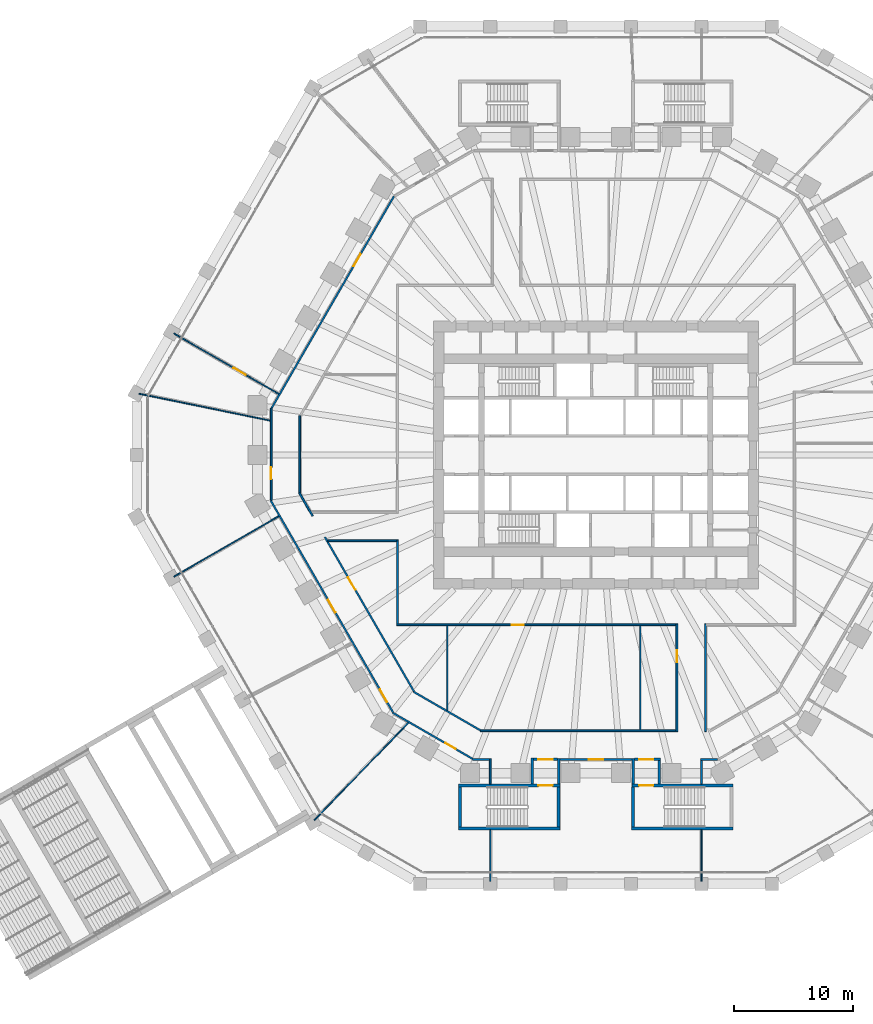
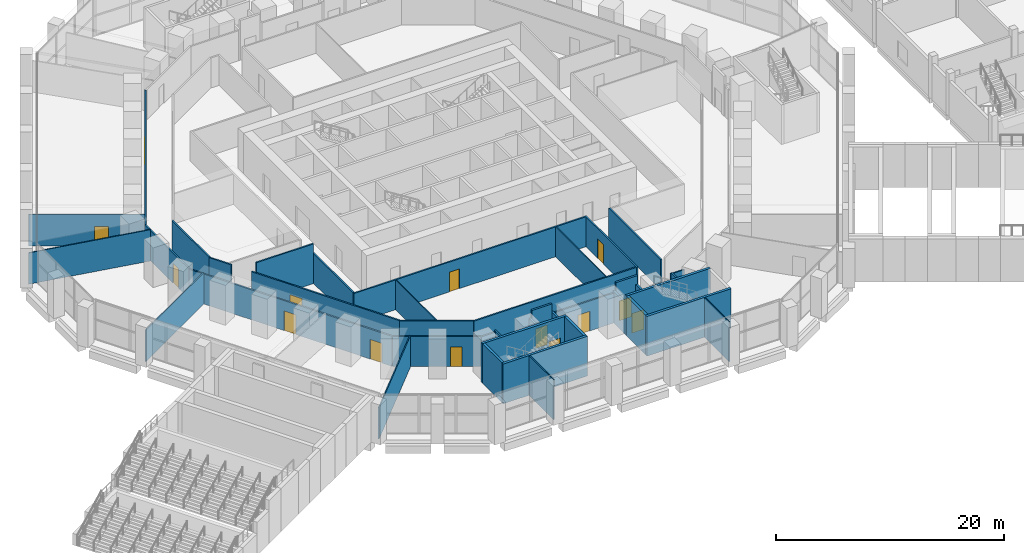
# One storey, part 19 of 38: 40 walls, 14 doors, 14 openings.
"""IFC4 building model written with IfcOpenShell, lengths in metres."""

from ifc_helpers import new_model, si_unit, direction, frame, frame_2d, origin, place, context, subcontext, project, spatial, rectangle, extrude, material, layer, layer_set, type_object, element, fill, save


model = new_model("IFC4")

# Units and contexts
model_context = context("Model", 3, precision=1e-05, world=origin(), true_north=direction((0.0, 1.0)))
body_context = subcontext(model_context, "Body", "Model", "MODEL_VIEW")
ifc_project = project(units=[si_unit("LENGTHUNIT", "METRE"), si_unit("AREAUNIT", "SQUARE_METRE"), si_unit("VOLUMEUNIT", "CUBIC_METRE"), si_unit("PLANEANGLEUNIT", "RADIAN"), si_unit("MASSUNIT", "GRAM", prefix="KILO")], contexts=[model_context])

# Site, building, storey
site_placement = place(None, origin())
site = spatial("IfcSite", under=ifc_project, at=site_placement, CompositionType="ELEMENT")
building_placement = place(site_placement, origin())
building = spatial("IfcBuilding", under=site, at=building_placement, Name="Frailejon Research Tower", CompositionType="ELEMENT")
storey_placement = place(building_placement, frame((0.0, 0.0, 5.60009765625)))
storey = spatial("IfcBuildingStorey", under=building, at=storey_placement, Name="L01", CompositionType="ELEMENT", Elevation=5.60009765625)

# Wall
ifc_material_1 = material(Name="Gypsum board and masonry partition", Category="masonry")
ifc_layer_1 = layer(ifc_material_1, 0.14990234375)
ifc_layer_set_1 = layer_set([ifc_layer_1], Name="Corridor wall EI 60, gypsum on steel studs 150")
wall_type_1 = type_object("IfcWallType", Name="Corridor wall EI 60, gypsum on steel studs 150", PredefinedType="PARTITIONING", material=ifc_layer_set_1)
wall_1_placement = place(storey_placement, frame((8.870849609375, -27.625, 0.0), z_axis=(0.0, 0.0, 1.0), x_axis=(0.0, 1.0, 0.0)))
element("IfcWall", 1, at=wall_1_placement, inside=storey, type_object=wall_type_1, Name="T:IW:L01:013", PredefinedType="PARTITIONING", context=body_context, shape_type="SweptSolid", body=[
    extrude(rectangle(XDim=2.0, YDim=0.14990234375, at=frame_2d((1.0, 0.0))), origin(), (0.0, 0.0, 1.0), 3.349853515625),
])

# Wall, opening, door
wall_2_placement = place(storey_placement, frame((-27.225341796875, 3.9443359375, 0.0), z_axis=(0.0, 0.0, 1.0), x_axis=(0.499997805905, 0.866026670542, 0.0)))
wall_2 = element("IfcWall", 2, at=wall_2_placement, inside=storey, type_object=wall_type_1, Name="T:IW:L01:021", PredefinedType="PARTITIONING", context=body_context, shape_type="SweptSolid", body=[
    extrude(rectangle(XDim=20.54345703125, YDim=0.14990234375, at=frame_2d((10.271728515625, 0.0))), origin(), (0.0, 0.0, 1.0), 3.199951171875),
])
opening_1_placement = place(wall_2_placement, frame((13.74560546875, 0.0, 0.0)))
opening_1 = element("IfcOpeningElement", 3, at=opening_1_placement, cuts=wall_2, Name="Opening D1040", PredefinedType="OPENING", context=body_context, shape_type="SweptSolid", body=[
    extrude(rectangle(XDim=1.199951171875, YDim=2.10009765625, at=frame_2d((0.60009765625, 1.050048828125))), frame((0.0, 0.0849609375, 0.0), z_axis=(0.0, -1.0, 0.0), x_axis=(1.0, 0.0, 0.0)), (0.0, 0.0, 1.0), 0.169921875),
])
ifc_material_2 = material(Name="Timber door leaf", Category="wood")
door_type_1 = type_object("IfcDoorType", Name="Door single leaf, timber, steel frame 1200", OperationType="NOTDEFINED", PredefinedType="DOOR", material=ifc_material_2)
door_1_placement = place(opening_1_placement, origin())
door_1 = element("IfcDoor", 4, at=door_1_placement, inside=storey, type_object=door_type_1, Name="D1040", OperationType="DOUBLE_DOOR_SINGLE_SWING", OverallHeight=2.10009765625, OverallWidth=1.199951171875, PredefinedType="DOOR", context=body_context, shape_type="SweptSolid", body=[
    extrude(rectangle(XDim=1.199951171875, YDim=2.10009765625, at=frame_2d((0.60009765625, 1.050048828125))), frame((0.0, 0.02490234375, 0.0), z_axis=(0.0, -1.0, 0.0), x_axis=(1.0, 0.0, 0.0)), (0.0, 0.0, 1.0), 0.050048828125),
])
fill(opening_1, door_1)

wall_3_placement = place(storey_placement, frame((-27.2626953125, -3.804443359375, 0.0), z_axis=(0.0, 0.0, 1.0), x_axis=(0.0, 1.0, 0.0)))
wall_3 = element("IfcWall", 5, at=wall_3_placement, inside=storey, type_object=wall_type_1, Name="T:IW:L01:022", PredefinedType="PARTITIONING", context=body_context, shape_type="SweptSolid", body=[
    extrude(rectangle(XDim=7.7587890625, YDim=0.14990234375, at=frame_2d((3.87939453125, 0.0))), origin(), (0.0, 0.0, 1.0), 3.199951171875),
])
opening_2_placement = place(wall_3_placement, frame((1.792724609375, 0.0, 0.0)))
opening_2 = element("IfcOpeningElement", 6, at=opening_2_placement, cuts=wall_3, Name="Opening D1043", PredefinedType="OPENING", context=body_context, shape_type="SweptSolid", body=[
    extrude(rectangle(XDim=1.0, YDim=2.10009765625, at=frame_2d((0.5, 1.050048828125))), frame((0.0, 0.0849609375, 0.0), z_axis=(0.0, -1.0, 0.0), x_axis=(1.0, 0.0, 0.0)), (0.0, 0.0, 1.0), 0.169921875),
])
ifc_material_3 = material(Name="Timber door leaf", Category="wood")
door_type_2 = type_object("IfcDoorType", Name="Door single leaf, timber, steel frame 1000", OperationType="NOTDEFINED", PredefinedType="DOOR", material=ifc_material_3)
door_2_placement = place(opening_2_placement, origin())
door_2 = element("IfcDoor", 7, at=door_2_placement, inside=storey, type_object=door_type_2, Name="D1043", OperationType="SINGLE_SWING_LEFT", OverallHeight=2.10009765625, OverallWidth=1.0, PredefinedType="DOOR", context=body_context, shape_type="SweptSolid", body=[
    extrude(rectangle(XDim=1.0, YDim=2.10009765625, at=frame_2d((0.5, 1.050048828125))), frame((0.0, 0.02490234375, 0.0), z_axis=(0.0, -1.0, 0.0), x_axis=(1.0, 0.0, 0.0)), (0.0, 0.0, 1.0), 0.050048828125),
])
fill(opening_2, door_2)

# Walls
wall_4_placement = place(storey_placement, frame((-24.86279296875, -3.161376953125, 0.0), z_axis=(0.0, 0.0, 1.0), x_axis=(0.0, 1.0, 0.0)))
element("IfcWall", 8, at=wall_4_placement, inside=storey, type_object=wall_type_1, Name="T:IW:L01:023", PredefinedType="PARTITIONING", context=body_context, shape_type="SweptSolid", body=[
    extrude(rectangle(XDim=6.47265625, YDim=0.14990234375, at=frame_2d((3.236328125, 0.0))), origin(), (0.0, 0.0, 1.0), 3.199951171875),
])
wall_5_placement = place(storey_placement, frame((-24.900390625, -3.17138671875, 0.0), z_axis=(0.0, 0.0, 1.0), x_axis=(0.500021389451, -0.866013054227, 0.0)))
element("IfcWall", 9, at=wall_5_placement, inside=storey, type_object=wall_type_1, Name="T:IW:L01:024", PredefinedType="PARTITIONING", context=body_context, shape_type="SweptSolid", body=[
    extrude(rectangle(XDim=2.23876953125, YDim=0.14990234375, at=frame_2d((1.119384765625, 0.0))), origin(), (0.0, 0.0, 1.0), 3.199951171875),
])

# Wall, opening, door
wall_6_placement = place(storey_placement, frame((-22.75341796875, -6.889892578125, 0.0), z_axis=(0.0, 0.0, 1.0), x_axis=(0.499997859304, -0.866026639712, 0.0)))
wall_6 = element("IfcWall", 10, at=wall_6_placement, inside=storey, type_object=wall_type_1, Name="T:IW:L01:025", PredefinedType="PARTITIONING", context=body_context, shape_type="SweptSolid", body=[
    extrude(rectangle(XDim=14.96337890625, YDim=0.14990234375, at=frame_2d((7.481689453125, 0.0))), origin(), (0.0, 0.0, 1.0), 3.199951171875),
])
opening_3_placement = place(wall_6_placement, frame((3.903076171875, 0.0, 0.0)))
opening_3 = element("IfcOpeningElement", 11, at=opening_3_placement, cuts=wall_6, Name="Opening D1045", PredefinedType="OPENING", context=body_context, shape_type="SweptSolid", body=[
    extrude(rectangle(XDim=1.199951171875, YDim=2.10009765625, at=frame_2d((0.60009765625, 1.050048828125))), frame((0.0, 0.0849609375, 0.0), z_axis=(0.0, -1.0, 0.0), x_axis=(1.0, 0.0, 0.0)), (0.0, 0.0, 1.0), 0.169921875),
])
door_3_placement = place(opening_3_placement, origin())
door_3 = element("IfcDoor", 12, at=door_3_placement, inside=storey, type_object=door_type_1, Name="D1045", OperationType="DOUBLE_DOOR_SINGLE_SWING", OverallHeight=2.10009765625, OverallWidth=1.199951171875, PredefinedType="DOOR", context=body_context, shape_type="SweptSolid", body=[
    extrude(rectangle(XDim=1.199951171875, YDim=2.10009765625, at=frame_2d((0.60009765625, 1.050048828125))), frame((0.0, 0.02490234375, 0.0), z_axis=(0.0, -1.0, 0.0), x_axis=(1.0, 0.0, 0.0)), (0.0, 0.0, 1.0), 0.050048828125),
])
fill(opening_3, door_3)

# Wall, openings, doors
wall_7_placement = place(storey_placement, frame((-27.30029296875, -3.814453125, 0.0), z_axis=(0.0, 0.0, 1.0), x_axis=(0.499997805905, -0.866026670542, 0.0)))
wall_7 = element("IfcWall", 13, at=wall_7_placement, inside=storey, type_object=wall_type_1, Name="T:IW:L01:026", PredefinedType="PARTITIONING", context=body_context, shape_type="SweptSolid", body=[
    extrude(rectangle(XDim=20.54345703125, YDim=0.14990234375, at=frame_2d((10.271728515625, 0.0))), origin(), (0.0, 0.0, 1.0), 3.199951171875),
])
opening_4_placement = place(wall_7_placement, frame((9.646728515625, 0.0, 0.0)))
opening_4 = element("IfcOpeningElement", 14, at=opening_4_placement, cuts=wall_7, Name="Opening D1044", PredefinedType="OPENING", context=body_context, shape_type="SweptSolid", body=[
    extrude(rectangle(XDim=1.199951171875, YDim=2.10009765625, at=frame_2d((0.60009765625, 1.050048828125))), frame((0.0, 0.0849609375, 0.0), z_axis=(0.0, -1.0, 0.0), x_axis=(1.0, 0.0, 0.0)), (0.0, 0.0, 1.0), 0.169921875),
])
opening_5_placement = place(wall_7_placement, frame((18.331298828125, 0.0, 0.0)))
opening_5 = element("IfcOpeningElement", 15, at=opening_5_placement, cuts=wall_7, Name="Opening D1046", PredefinedType="OPENING", context=body_context, shape_type="SweptSolid", body=[
    extrude(rectangle(XDim=1.199951171875, YDim=2.10009765625, at=frame_2d((0.60009765625, 1.050048828125))), frame((0.0, 0.0849609375, 0.0), z_axis=(0.0, -1.0, 0.0), x_axis=(1.0, 0.0, 0.0)), (0.0, 0.0, 1.0), 0.169921875),
])
door_4_placement = place(opening_4_placement, origin())
door_4 = element("IfcDoor", 16, at=door_4_placement, inside=storey, type_object=door_type_1, Name="D1044", OperationType="DOUBLE_DOOR_SINGLE_SWING", OverallHeight=2.10009765625, OverallWidth=1.199951171875, PredefinedType="DOOR", context=body_context, shape_type="SweptSolid", body=[
    extrude(rectangle(XDim=1.199951171875, YDim=2.10009765625, at=frame_2d((0.60009765625, 1.050048828125))), frame((0.0, 0.02490234375, 0.0), z_axis=(0.0, -1.0, 0.0), x_axis=(1.0, 0.0, 0.0)), (0.0, 0.0, 1.0), 0.050048828125),
])
fill(opening_4, door_4)
door_5_placement = place(opening_5_placement, origin())
door_5 = element("IfcDoor", 17, at=door_5_placement, inside=storey, type_object=door_type_1, Name="D1046", OperationType="DOUBLE_DOOR_SINGLE_SWING", OverallHeight=2.10009765625, OverallWidth=1.199951171875, PredefinedType="DOOR", context=body_context, shape_type="SweptSolid", body=[
    extrude(rectangle(XDim=1.199951171875, YDim=2.10009765625, at=frame_2d((0.60009765625, 1.050048828125))), frame((0.0, 0.02490234375, 0.0), z_axis=(0.0, -1.0, 0.0), x_axis=(1.0, 0.0, 0.0)), (0.0, 0.0, 1.0), 0.050048828125),
])
fill(opening_5, door_5)

# Wall
wall_8_placement = place(storey_placement, frame((-15.299072265625, -19.876220703125, 0.0), z_axis=(0.0, 0.0, 1.0), x_axis=(0.866024786089, -0.500001069878, 0.0)))
element("IfcWall", 18, at=wall_8_placement, inside=storey, type_object=wall_type_1, Name="T:IW:L01:027", PredefinedType="PARTITIONING", context=body_context, shape_type="SweptSolid", body=[
    extrude(rectangle(XDim=6.47265625, YDim=0.14990234375, at=frame_2d((3.236328125, 0.0))), origin(), (0.0, 0.0, 1.0), 3.199951171875),
])

# Wall, opening, door
wall_9_placement = place(storey_placement, frame((-17.055908203125, -21.633056640625, 0.0), z_axis=(0.0, 0.0, 1.0), x_axis=(0.866023143435, -0.50000391502, 0.0)))
wall_9 = element("IfcWall", 19, at=wall_9_placement, inside=storey, type_object=wall_type_1, Name="T:IW:L01:028", PredefinedType="PARTITIONING", context=body_context, shape_type="SweptSolid", body=[
    extrude(rectangle(XDim=7.7587890625, YDim=0.14990234375, at=frame_2d((3.87939453125, 0.0))), origin(), (0.0, 0.0, 1.0), 3.199951171875),
])
opening_6_placement = place(wall_9_placement, frame((5.1162109375, 0.0, 0.0)))
opening_6 = element("IfcOpeningElement", 20, at=opening_6_placement, cuts=wall_9, Name="Opening D1047", PredefinedType="OPENING", context=body_context, shape_type="SweptSolid", body=[
    extrude(rectangle(XDim=1.0, YDim=2.10009765625, at=frame_2d((0.5, 1.050048828125))), frame((0.0, 0.0849609375, 0.0), z_axis=(0.0, -1.0, 0.0), x_axis=(1.0, 0.0, 0.0)), (0.0, 0.0, 1.0), 0.169921875),
])
door_6_placement = place(opening_6_placement, origin())
door_6 = element("IfcDoor", 21, at=door_6_placement, inside=storey, type_object=door_type_2, Name="D1047", OperationType="SINGLE_SWING_RIGHT", OverallHeight=2.10009765625, OverallWidth=1.0, PredefinedType="DOOR", context=body_context, shape_type="SweptSolid", body=[
    extrude(rectangle(XDim=1.0, YDim=2.10009765625, at=frame_2d((0.5, 1.050048828125))), frame((0.0, 0.02490234375, 0.0), z_axis=(0.0, -1.0, 0.0), x_axis=(1.0, 0.0, 0.0)), (0.0, 0.0, 1.0), 0.050048828125),
])
fill(opening_6, door_6)

# Wall
wall_10_placement = place(storey_placement, frame((-10.3466796875, -25.550048828125, 0.0), z_axis=(0.0, 0.0, 1.0), x_axis=(1.0, 0.0, 0.0)))
element("IfcWall", 22, at=wall_10_placement, inside=storey, type_object=wall_type_1, Name="T:IW:L01:029", PredefinedType="PARTITIONING", context=body_context, shape_type="SweptSolid", body=[
    extrude(rectangle(XDim=1.40087890625, YDim=0.14990234375, at=frame_2d((0.700439453125, 0.0))), origin(), (0.0, 0.0, 1.0), 3.199951171875),
])

# Wall, opening, door
wall_11_placement = place(storey_placement, frame((-3.031982421875, -25.550048828125, 0.0), z_axis=(0.0, 0.0, 1.0), x_axis=(1.0, 0.0, 0.0)))
wall_11 = element("IfcWall", 23, at=wall_11_placement, inside=storey, type_object=wall_type_1, Name="T:IW:L01:030", PredefinedType="PARTITIONING", context=body_context, shape_type="SweptSolid", body=[
    extrude(rectangle(XDim=6.06396484375, YDim=0.14990234375, at=frame_2d((3.031982421875, 0.0))), origin(), (0.0, 0.0, 1.0), 3.199951171875),
])
opening_7_placement = place(wall_11_placement, frame((2.431884765625, 0.0, 0.0)))
opening_7 = element("IfcOpeningElement", 24, at=opening_7_placement, cuts=wall_11, Name="Opening D1049", PredefinedType="OPENING", context=body_context, shape_type="SweptSolid", body=[
    extrude(rectangle(XDim=1.199951171875, YDim=2.10009765625, at=frame_2d((0.60009765625, 1.050048828125))), frame((0.0, 0.0849609375, 0.0), z_axis=(0.0, -1.0, 0.0), x_axis=(1.0, 0.0, 0.0)), (0.0, 0.0, 1.0), 0.169921875),
])
door_7_placement = place(opening_7_placement, origin())
door_7 = element("IfcDoor", 25, at=door_7_placement, inside=storey, type_object=door_type_1, Name="D1049", OperationType="DOUBLE_DOOR_SINGLE_SWING", OverallHeight=2.10009765625, OverallWidth=1.199951171875, PredefinedType="DOOR", context=body_context, shape_type="SweptSolid", body=[
    extrude(rectangle(XDim=1.199951171875, YDim=2.10009765625, at=frame_2d((0.60009765625, 1.050048828125))), frame((0.0, 0.02490234375, 0.0), z_axis=(0.0, -1.0, 0.0), x_axis=(1.0, 0.0, 0.0)), (0.0, 0.0, 1.0), 0.050048828125),
])
fill(opening_7, door_7)

# Walls
wall_12_placement = place(storey_placement, frame((8.7958984375, -25.550048828125, 0.0), z_axis=(0.0, 0.0, 1.0), x_axis=(1.0, 0.0, 0.0)))
element("IfcWall", 26, at=wall_12_placement, inside=storey, type_object=wall_type_1, Name="T:IW:L01:031", PredefinedType="PARTITIONING", context=body_context, shape_type="SweptSolid", body=[
    extrude(rectangle(XDim=1.40087890625, YDim=0.14990234375, at=frame_2d((0.700439453125, 0.0))), origin(), (0.0, 0.0, 1.0), 3.199951171875),
])
wall_13_placement = place(storey_placement, frame((-8.870849609375, -27.625, 0.0), z_axis=(0.0, 0.0, 1.0), x_axis=(0.0, 1.0, 0.0)))
element("IfcWall", 27, at=wall_13_placement, inside=storey, type_object=wall_type_1, Name="T:IW:L01:032", PredefinedType="PARTITIONING", context=body_context, shape_type="SweptSolid", body=[
    extrude(rectangle(XDim=2.14990234375, YDim=0.14990234375, at=frame_2d((1.074951171875, 0.0))), origin(), (0.0, 0.0, 1.0), 3.349853515625),
])
wall_14_placement = place(storey_placement, frame((-9.70361328125, -23.14990234375, 0.0), z_axis=(0.0, 0.0, 1.0), x_axis=(1.0, 0.0, 0.0)))
element("IfcWall", 28, at=wall_14_placement, inside=storey, type_object=wall_type_1, Name="T:IW:L01:033", PredefinedType="PARTITIONING", context=body_context, shape_type="SweptSolid", body=[
    extrude(rectangle(XDim=16.4287109375, YDim=0.14990234375, at=frame_2d((8.21435546875, 0.0))), origin(), (0.0, 0.0, 1.0), 3.199951171875),
])
wall_15_placement = place(storey_placement, frame((-22.49951171875, -7.199951171875, 0.0), z_axis=(0.0, 0.0, 1.0), x_axis=(1.0, 0.0, 0.0)))
element("IfcWall", 29, at=wall_15_placement, inside=storey, type_object=wall_type_1, Name="T:IW:L01:041", PredefinedType="PARTITIONING", context=body_context, shape_type="SweptSolid", body=[
    extrude(rectangle(XDim=5.7744140625, YDim=0.14990234375, at=frame_2d((2.88720703125, 0.0))), origin(), (0.0, 0.0, 1.0), 4.25),
])
wall_16_placement = place(storey_placement, frame((-16.64990234375, -14.175048828125, 0.0), z_axis=(0.0, 0.0, 1.0), x_axis=(0.0, 1.0, 0.0)))
element("IfcWall", 30, at=wall_16_placement, inside=storey, type_object=wall_type_1, Name="T:IW:L01:046", PredefinedType="PARTITIONING", context=body_context, shape_type="SweptSolid", body=[
    extrude(rectangle(XDim=7.050048828125, YDim=0.14990234375, at=frame_2d((3.52490234375, 0.0))), origin(), (0.0, 0.0, 1.0), 3.199951171875),
])

# Wall, opening, door
wall_17_placement = place(storey_placement, frame((-16.72509765625, -14.25, 0.0), z_axis=(0.0, 0.0, 1.0), x_axis=(1.0, 0.0, 0.0)))
wall_17 = element("IfcWall", 31, at=wall_17_placement, inside=storey, type_object=wall_type_1, Name="T:IW:L01:048", PredefinedType="PARTITIONING", context=body_context, shape_type="SweptSolid", body=[
    extrude(rectangle(XDim=23.4501953125, YDim=0.14990234375, at=frame_2d((11.72509765625, 0.0))), origin(), (0.0, 0.0, 1.0), 3.199951171875),
])
opening_8_placement = place(wall_17_placement, frame((9.677001953125, 0.0, 0.0)))
opening_8 = element("IfcOpeningElement", 32, at=opening_8_placement, cuts=wall_17, Name="Opening D1048", PredefinedType="OPENING", context=body_context, shape_type="SweptSolid", body=[
    extrude(rectangle(XDim=1.0, YDim=2.10009765625, at=frame_2d((0.5, 1.050048828125))), frame((0.0, 0.0849609375, 0.0), z_axis=(0.0, -1.0, 0.0), x_axis=(1.0, 0.0, 0.0)), (0.0, 0.0, 1.0), 0.169921875),
])
door_8_placement = place(opening_8_placement, origin())
door_8 = element("IfcDoor", 33, at=door_8_placement, inside=storey, type_object=door_type_2, Name="D1048", OperationType="SINGLE_SWING_LEFT", OverallHeight=2.10009765625, OverallWidth=1.0, PredefinedType="DOOR", context=body_context, shape_type="SweptSolid", body=[
    extrude(rectangle(XDim=1.0, YDim=2.10009765625, at=frame_2d((0.5, 1.050048828125))), frame((0.0, 0.02490234375, 0.0), z_axis=(0.0, -1.0, 0.0), x_axis=(1.0, 0.0, 0.0)), (0.0, 0.0, 1.0), 0.050048828125),
])
fill(opening_8, door_8)

wall_18_placement = place(storey_placement, frame((6.800048828125, -23.22509765625, 0.0), z_axis=(0.0, 0.0, 1.0), x_axis=(0.0, 1.0, 0.0)))
wall_18 = element("IfcWall", 34, at=wall_18_placement, inside=storey, type_object=wall_type_1, Name="T:IW:L01:050", PredefinedType="PARTITIONING", context=body_context, shape_type="SweptSolid", body=[
    extrude(rectangle(XDim=9.050048828125, YDim=0.14990234375, at=frame_2d((4.52490234375, 0.0))), origin(), (0.0, 0.0, 1.0), 3.199951171875),
])
opening_9_placement = place(wall_18_placement, frame((5.824951171875, 0.0, 0.0)))
opening_9 = element("IfcOpeningElement", 35, at=opening_9_placement, cuts=wall_18, Name="Opening D1050", PredefinedType="OPENING", context=body_context, shape_type="SweptSolid", body=[
    extrude(rectangle(XDim=1.0, YDim=2.10009765625, at=frame_2d((0.5, 1.050048828125))), frame((0.0, 0.0849609375, 0.0), z_axis=(0.0, -1.0, 0.0), x_axis=(1.0, 0.0, 0.0)), (0.0, 0.0, 1.0), 0.169921875),
])
door_9_placement = place(opening_9_placement, origin())
door_9 = element("IfcDoor", 36, at=door_9_placement, inside=storey, type_object=door_type_2, Name="D1050", OperationType="SINGLE_SWING_LEFT", OverallHeight=2.10009765625, OverallWidth=1.0, PredefinedType="DOOR", context=body_context, shape_type="SweptSolid", body=[
    extrude(rectangle(XDim=1.0, YDim=2.10009765625, at=frame_2d((0.5, 1.050048828125))), frame((0.0, 0.02490234375, 0.0), z_axis=(0.0, -1.0, 0.0), x_axis=(1.0, 0.0, 0.0)), (0.0, 0.0, 1.0), 0.050048828125),
])
fill(opening_9, door_9)

# Walls
wall_19_placement = place(storey_placement, frame((9.199951171875, -23.22509765625, 0.0), z_axis=(0.0, 0.0, 1.0), x_axis=(0.0, 1.0, 0.0)))
element("IfcWall", 37, at=wall_19_placement, inside=storey, type_object=wall_type_1, Name="T:IW:L01:051", PredefinedType="PARTITIONING", context=body_context, shape_type="SweptSolid", body=[
    extrude(rectangle(XDim=9.050048828125, YDim=0.14990234375, at=frame_2d((4.52490234375, 0.0))), origin(), (0.0, 0.0, 1.0), 3.199951171875),
])
ifc_material_4 = material(Name="Gypsum board and masonry partition", Category="masonry")
ifc_layer_2 = layer(ifc_material_4, 0.199951171875)
ifc_layer_set_2 = layer_set([ifc_layer_2], Name="Enclosure wall EI 120, blockwork 200")
wall_type_2 = type_object("IfcWallType", Name="Enclosure wall EI 120, blockwork 200", PredefinedType="PARTITIONING", material=ifc_layer_set_2)
wall_20_placement = place(storey_placement, frame((5.33203125, -27.625, 0.0), z_axis=(0.0, 0.0, 1.0), x_axis=(0.0, 1.0, 0.0)))
element("IfcWall", 38, at=wall_20_placement, inside=storey, type_object=wall_type_2, Name="T:IW:L01:054", PredefinedType="PARTITIONING", context=body_context, shape_type="SweptSolid", body=[
    extrude(rectangle(XDim=1.97509765625, YDim=0.199951171875, at=frame_2d((0.987548828125, 0.0))), origin(), (0.0, 0.0, 1.0), 3.349853515625),
])

# Wall, opening, door
wall_21_placement = place(storey_placement, frame((-5.23193359375, -25.5498046875, 0.0), z_axis=(0.0, 0.0, 1.0), x_axis=(1.0, 0.0, 0.0)))
wall_21 = element("IfcWall", 39, at=wall_21_placement, inside=storey, type_object=wall_type_2, Name="T:IW:L01:056", PredefinedType="PARTITIONING", context=body_context, shape_type="SweptSolid", body=[
    extrude(rectangle(XDim=2.0, YDim=0.199951171875, at=frame_2d((1.0, 0.0))), origin(), (0.0, 0.0, 1.0), 4.25),
])
opening_10_placement = place(wall_21_placement, frame((1.599853515625, 0.0, 0.0), z_axis=(0.0, 0.0, 1.0), x_axis=(-1.0, 0.0, 0.0)))
opening_10 = element("IfcOpeningElement", 40, at=opening_10_placement, cuts=wall_21, Name="Opening PSD20", PredefinedType="OPENING", context=body_context, shape_type="SweptSolid", body=[
    extrude(rectangle(XDim=1.199951171875, YDim=2.10009765625, at=frame_2d((0.60009765625, 1.050048828125))), frame((0.0, 0.10986328125, 0.0), z_axis=(0.0, -1.0, 0.0), x_axis=(1.0, 0.0, 0.0)), (0.0, 0.0, 1.0), 0.219970703125),
])
ifc_material_5 = material(Name="Steel door leaf", Category="steel")
door_type_3 = type_object("IfcDoorType", Name="Door exit passage, steel, fire rated 1200", OperationType="NOTDEFINED", PredefinedType="DOOR", material=ifc_material_5)
door_10_placement = place(opening_10_placement, origin())
door_10 = element("IfcDoor", 41, at=door_10_placement, inside=storey, type_object=door_type_3, Name="PSD20", OperationType="SINGLE_SWING_LEFT", OverallHeight=2.10009765625, OverallWidth=1.199951171875, PredefinedType="DOOR", context=body_context, shape_type="SweptSolid", body=[
    extrude(rectangle(XDim=1.199951171875, YDim=2.10009765625, at=frame_2d((0.60009765625, 1.050048828125))), frame((0.0, 0.02490234375, 0.0), z_axis=(0.0, -1.0, 0.0), x_axis=(1.0, 0.0, 0.0)), (0.0, 0.0, 1.0), 0.050048828125),
])
fill(opening_10, door_10)

wall_22_placement = place(storey_placement, frame((3.23193359375, -25.5498046875, 0.0), z_axis=(0.0, 0.0, 1.0), x_axis=(1.0, 0.0, 0.0)))
wall_22 = element("IfcWall", 42, at=wall_22_placement, inside=storey, type_object=wall_type_2, Name="T:IW:L01:057", PredefinedType="PARTITIONING", context=body_context, shape_type="SweptSolid", body=[
    extrude(rectangle(XDim=2.199951171875, YDim=0.199951171875, at=frame_2d((1.10009765625, 0.0))), origin(), (0.0, 0.0, 1.0), 4.25),
])
opening_11_placement = place(wall_22_placement, frame((1.599853515625, 0.0, 0.0), z_axis=(0.0, 0.0, 1.0), x_axis=(-1.0, 0.0, 0.0)))
opening_11 = element("IfcOpeningElement", 43, at=opening_11_placement, cuts=wall_22, Name="Opening PSD22", PredefinedType="OPENING", context=body_context, shape_type="SweptSolid", body=[
    extrude(rectangle(XDim=1.199951171875, YDim=2.10009765625, at=frame_2d((0.60009765625, 1.050048828125))), frame((0.0, 0.10986328125, 0.0), z_axis=(0.0, -1.0, 0.0), x_axis=(1.0, 0.0, 0.0)), (0.0, 0.0, 1.0), 0.219970703125),
])
door_11_placement = place(opening_11_placement, origin())
door_11 = element("IfcDoor", 44, at=door_11_placement, inside=storey, type_object=door_type_3, Name="PSD22", OperationType="SINGLE_SWING_LEFT", OverallHeight=2.10009765625, OverallWidth=1.199951171875, PredefinedType="DOOR", context=body_context, shape_type="SweptSolid", body=[
    extrude(rectangle(XDim=1.199951171875, YDim=2.10009765625, at=frame_2d((0.60009765625, 1.050048828125))), frame((0.0, 0.02490234375, 0.0), z_axis=(0.0, -1.0, 0.0), x_axis=(1.0, 0.0, 0.0)), (0.0, 0.0, 1.0), 0.050048828125),
])
fill(opening_11, door_11)

# Walls
wall_23_placement = place(storey_placement, frame((-5.33203125, -27.625, 0.0), z_axis=(0.0, 0.0, 1.0), x_axis=(0.0, 1.0, 0.0)))
element("IfcWall", 45, at=wall_23_placement, inside=storey, type_object=wall_type_2, Name="T:IW:L01:058", PredefinedType="PARTITIONING", context=body_context, shape_type="SweptSolid", body=[
    extrude(rectangle(XDim=2.175048828125, YDim=0.199951171875, at=frame_2d((1.08740234375, 0.0))), origin(), (0.0, 0.0, 1.0), 3.349853515625),
])
for number, where, z_axis, x_axis, name in (
    (46, (-3.132080078125, -27.625, 0.0), (0.0, 0.0, 1.0), (0.0, 1.0, 0.0), "T:IW:L01:062"),
    (47, (3.132080078125, -27.625, 0.0), (0.0, 0.0, 1.0), (0.0, 1.0, 0.0), "T:IW:L01:064"),
):
    element("IfcWall", number, at=place(storey_placement, frame(where, z_axis=z_axis, x_axis=x_axis)), inside=storey, type_object=wall_type_2, Name=name, PredefinedType="PARTITIONING", context=body_context, shape_type="SweptSolid", body=[
        extrude(rectangle(XDim=2.14990234375, YDim=0.199951171875, at=frame_2d((1.074951171875, 0.0))), origin(), (0.0, 0.0, 1.0), 3.349853515625),
    ])
ifc_material_6 = material(Name="Gypsum board and masonry partition", Category="masonry")
ifc_layer_3 = layer(ifc_material_6, 0.10009765625)
ifc_layer_set_3 = layer_set([ifc_layer_3], Name="Partition, gypsum on steel studs 100")
wall_type_3 = type_object("IfcWallType", Name="Partition, gypsum on steel studs 100", PredefinedType="PARTITIONING", material=ifc_layer_set_3)
wall_24_placement = place(storey_placement, frame((-35.439208984375, -10.2177734375, 0.0), z_axis=(0.0, 0.0, 1.0), x_axis=(0.86602416344, 0.500002148333, 0.0)))
element("IfcWall", 48, at=wall_24_placement, inside=storey, type_object=wall_type_3, Name="T:IW:L01:068", PredefinedType="PARTITIONING", context=body_context, shape_type="SweptSolid", body=[
    extrude(rectangle(XDim=10.17529296875, YDim=0.10009765625, at=frame_2d((5.087646484375, 0.0))), origin(), (0.0, 0.0, 1.0), 3.349853515625),
])
wall_25_placement = place(storey_placement, frame((8.870849609375, -35.800048828125, 0.0), z_axis=(0.0, 0.0, 1.0), x_axis=(0.0, 1.0, 0.0)))
element("IfcWall", 49, at=wall_25_placement, inside=storey, type_object=wall_type_3, Name="T:IW:L01:073", PredefinedType="PARTITIONING", context=body_context, shape_type="SweptSolid", body=[
    extrude(rectangle(XDim=4.324951171875, YDim=0.10009765625, at=frame_2d((2.16259765625, 0.0))), origin(), (0.0, 0.0, 1.0), 4.25),
])

# Wall, opening, door
wall_26_placement = place(storey_placement, frame((-35.439208984375, 10.2177734375, 0.0), z_axis=(0.0, 0.0, 1.0), x_axis=(0.86602416344, -0.500002148333, 0.0)))
wall_26 = element("IfcWall", 50, at=wall_26_placement, inside=storey, type_object=wall_type_3, Name="T:IW:L01:079", PredefinedType="PARTITIONING", context=body_context, shape_type="SweptSolid", body=[
    extrude(rectangle(XDim=10.17529296875, YDim=0.10009765625, at=frame_2d((5.087646484375, 0.0))), origin(), (0.0, 0.0, 1.0), 3.349853515625),
])
opening_12_placement = place(wall_26_placement, frame((5.777587890625, 0.0, 0.0)))
opening_12 = element("IfcOpeningElement", 51, at=opening_12_placement, cuts=wall_26, Name="Opening D1041", PredefinedType="OPENING", context=body_context, shape_type="SweptSolid", body=[
    extrude(rectangle(XDim=1.199951171875, YDim=2.10009765625, at=frame_2d((0.60009765625, 1.050048828125))), frame((0.0, 0.06005859375, 0.0), z_axis=(0.0, -1.0, 0.0), x_axis=(1.0, 0.0, 0.0)), (0.0, 0.0, 1.0), 0.1201171875),
])
door_12_placement = place(opening_12_placement, origin())
door_12 = element("IfcDoor", 52, at=door_12_placement, inside=storey, type_object=door_type_1, Name="D1041", OperationType="DOUBLE_DOOR_SINGLE_SWING", OverallHeight=2.10009765625, OverallWidth=1.199951171875, PredefinedType="DOOR", context=body_context, shape_type="SweptSolid", body=[
    extrude(rectangle(XDim=1.199951171875, YDim=2.10009765625, at=frame_2d((0.60009765625, 1.050048828125))), frame((0.0, 0.02490234375, 0.0), z_axis=(0.0, -1.0, 0.0), x_axis=(1.0, 0.0, 0.0)), (0.0, 0.0, 1.0), 0.050048828125),
])
fill(opening_12, door_12)

# Walls
wall_27_placement = place(storey_placement, frame((-38.36279296875, 5.15380859375, 0.0), z_axis=(0.0, 0.0, 1.0), x_axis=(0.979647999814, -0.200723183666, 0.0)))
element("IfcWall", 53, at=wall_27_placement, inside=storey, type_object=wall_type_3, Name="T:IW:L01:081", PredefinedType="PARTITIONING", context=body_context, shape_type="SweptSolid", body=[
    extrude(rectangle(XDim=11.255615234375, YDim=0.10009765625, at=frame_2d((5.6279296875, 0.0))), origin(), (0.0, 0.0, 1.0), 3.349853515625),
])
wall_28_placement = place(storey_placement, frame((-12.472900390625, -21.432861328125, 0.0), z_axis=(0.0, 0.0, 1.0), x_axis=(0.0, 1.0, 0.0)))
element("IfcWall", 54, at=wall_28_placement, inside=storey, type_object=wall_type_3, Name="T:IW:L01:083", PredefinedType="PARTITIONING", context=body_context, shape_type="SweptSolid", body=[
    extrude(rectangle(XDim=7.10791015625, YDim=0.10009765625, at=frame_2d((3.553955078125, 0.0))), origin(), (0.0, 0.0, 1.0), 3.199951171875),
])
wall_29_placement = place(storey_placement, frame((-23.64013671875, -30.654052734375, 0.0), z_axis=(0.0, 0.0, 1.0), x_axis=(0.694530893364, 0.719462881713, 0.0)))
element("IfcWall", 55, at=wall_29_placement, inside=storey, type_object=wall_type_3, Name="T:IW:L01:084", PredefinedType="PARTITIONING", context=body_context, shape_type="SweptSolid", body=[
    extrude(rectangle(XDim=11.368896484375, YDim=0.10009765625, at=frame_2d((5.6845703125, 0.0))), origin(), (0.0, 0.0, 1.0), 3.349853515625),
])
wall_30_placement = place(storey_placement, frame((-8.870849609375, -35.800048828125, 0.0), z_axis=(0.0, 0.0, 1.0), x_axis=(0.0, 1.0, 0.0)))
element("IfcWall", 56, at=wall_30_placement, inside=storey, type_object=wall_type_3, Name="T:IW:L01:085", PredefinedType="PARTITIONING", context=body_context, shape_type="SweptSolid", body=[
    extrude(rectangle(XDim=4.324951171875, YDim=0.10009765625, at=frame_2d((2.16259765625, 0.0))), origin(), (0.0, 0.0, 1.0), 4.25),
])
wall_31_placement = place(storey_placement, frame((3.72705078125, -23.074951171875, 0.0), z_axis=(0.0, 0.0, 1.0), x_axis=(0.0, 1.0, 0.0)))
element("IfcWall", 57, at=wall_31_placement, inside=storey, type_object=wall_type_3, Name="T:IW:L01:086", PredefinedType="PARTITIONING", context=body_context, shape_type="SweptSolid", body=[
    extrude(rectangle(XDim=8.75, YDim=0.10009765625, at=frame_2d((4.375, 0.0))), origin(), (0.0, 0.0, 1.0), 3.199951171875),
])
ifc_material_7 = material(Name="Concrete C50/60", Category="concrete")
ifc_layer_4 = layer(ifc_material_7, 0.25)
ifc_layer_set_4 = layer_set([ifc_layer_4], Name="Stair enclosure wall EI 120, Concrete C50/60 250")
wall_type_4 = type_object("IfcWallType", Name="Stair enclosure wall EI 120, Concrete C50/60 250", PredefinedType="SOLIDWALL", material=ifc_layer_set_4)
for number, where, z_axis, x_axis, name in (
    (58, (-11.40185546875, -31.22509765625, 0.0), (0.0, 0.0, 1.0), (0.0, 1.0, 0.0), "T:IW:L01:090"),
    (59, (-3.132080078125, -31.22509765625, 0.0), (0.0, 0.0, 1.0), (0.0, 1.0, 0.0), "T:IW:L01:094"),
    (60, (3.132080078125, -31.22509765625, 0.0), (0.0, 0.0, 1.0), (0.0, 1.0, 0.0), "T:IW:L01:096"),
):
    element("IfcWall", number, at=place(storey_placement, frame(where, z_axis=z_axis, x_axis=x_axis)), inside=storey, type_object=wall_type_4, Name=name, PredefinedType="SOLIDWALL", context=body_context, shape_type="SweptSolid", body=[
        extrude(rectangle(XDim=3.35009765625, YDim=0.25, at=frame_2d((1.675048828125, 0.0))), origin(), (0.0, 0.0, 1.0), 4.25),
    ])

# Wall, opening, door
wall_32_placement = place(storey_placement, frame((-11.52685546875, -27.75, 0.0), z_axis=(0.0, 0.0, 1.0), x_axis=(1.0, 0.0, 0.0)))
wall_32 = element("IfcWall", 61, at=wall_32_placement, inside=storey, type_object=wall_type_4, Name="T:IW:L01:100", PredefinedType="SOLIDWALL", context=body_context, shape_type="SweptSolid", body=[
    extrude(rectangle(XDim=8.494873046875, YDim=0.25, at=frame_2d((4.24755859375, 0.0))), origin(), (0.0, 0.0, 1.0), 4.25),
])
opening_13_placement = place(wall_32_placement, frame((7.89501953125, 0.0, 0.0), z_axis=(0.0, 0.0, 1.0), x_axis=(-1.0, 0.0, 0.0)))
opening_13 = element("IfcOpeningElement", 62, at=opening_13_placement, cuts=wall_32, Name="Opening PSD21", PredefinedType="OPENING", context=body_context, shape_type="SweptSolid", body=[
    extrude(rectangle(XDim=1.199951171875, YDim=2.10009765625, at=frame_2d((0.60009765625, 1.050048828125))), frame((0.0, 0.135009765625, 0.0), z_axis=(0.0, -1.0, 0.0), x_axis=(1.0, 0.0, 0.0)), (0.0, 0.0, 1.0), 0.27001953125),
])
door_13_placement = place(opening_13_placement, origin())
door_13 = element("IfcDoor", 63, at=door_13_placement, inside=storey, type_object=door_type_3, Name="PSD21", OperationType="SINGLE_SWING_RIGHT", OverallHeight=2.10009765625, OverallWidth=1.199951171875, PredefinedType="DOOR", context=body_context, shape_type="SweptSolid", body=[
    extrude(rectangle(XDim=1.199951171875, YDim=2.10009765625, at=frame_2d((0.60009765625, 1.050048828125))), frame((0.0, 0.02490234375, 0.0), z_axis=(0.0, -1.0, 0.0), x_axis=(1.0, 0.0, 0.0)), (0.0, 0.0, 1.0), 0.050048828125),
])
fill(opening_13, door_13)

wall_33_placement = place(storey_placement, frame((3.031982421875, -27.75, 0.0), z_axis=(0.0, 0.0, 1.0), x_axis=(1.0, 0.0, 0.0)))
wall_33 = element("IfcWall", 64, at=wall_33_placement, inside=storey, type_object=wall_type_4, Name="T:IW:L01:101", PredefinedType="SOLIDWALL", context=body_context, shape_type="SweptSolid", body=[
    extrude(rectangle(XDim=8.494873046875, YDim=0.25, at=frame_2d((4.24755859375, 0.0))), origin(), (0.0, 0.0, 1.0), 4.25),
])
opening_14_placement = place(wall_33_placement, frame((1.800048828125, 0.0, 0.0), z_axis=(0.0, 0.0, 1.0), x_axis=(-1.0, 0.0, 0.0)))
opening_14 = element("IfcOpeningElement", 65, at=opening_14_placement, cuts=wall_33, Name="Opening PSD23", PredefinedType="OPENING", context=body_context, shape_type="SweptSolid", body=[
    extrude(rectangle(XDim=1.199951171875, YDim=2.10009765625, at=frame_2d((0.60009765625, 1.050048828125))), frame((0.0, 0.135009765625, 0.0), z_axis=(0.0, -1.0, 0.0), x_axis=(1.0, 0.0, 0.0)), (0.0, 0.0, 1.0), 0.27001953125),
])
door_14_placement = place(opening_14_placement, origin())
door_14 = element("IfcDoor", 66, at=door_14_placement, inside=storey, type_object=door_type_3, Name="PSD23", OperationType="SINGLE_SWING_RIGHT", OverallHeight=2.10009765625, OverallWidth=1.199951171875, PredefinedType="DOOR", context=body_context, shape_type="SweptSolid", body=[
    extrude(rectangle(XDim=1.199951171875, YDim=2.10009765625, at=frame_2d((0.60009765625, 1.050048828125))), frame((0.0, 0.02490234375, 0.0), z_axis=(0.0, -1.0, 0.0), x_axis=(1.0, 0.0, 0.0)), (0.0, 0.0, 1.0), 0.050048828125),
])
fill(opening_14, door_14)

# Walls
for number, where, z_axis, x_axis, name in (
    (67, (-11.52685546875, -31.35009765625, 0.0), (0.0, 0.0, 1.0), (1.0, 0.0, 0.0), "T:IW:L01:102"),
    (68, (3.007080078125, -31.35009765625, 0.0), (0.0, 0.0, 1.0), (1.0, 0.0, 0.0), "T:IW:L01:103"),
):
    element("IfcWall", number, at=place(storey_placement, frame(where, z_axis=z_axis, x_axis=x_axis)), inside=storey, type_object=wall_type_4, Name=name, PredefinedType="SOLIDWALL", context=body_context, shape_type="SweptSolid", body=[
        extrude(rectangle(XDim=8.519775390625, YDim=0.25, at=frame_2d((4.259765625, 0.0))), origin(), (0.0, 0.0, 1.0), 4.25),
    ])

save(model, "model.ifc")
